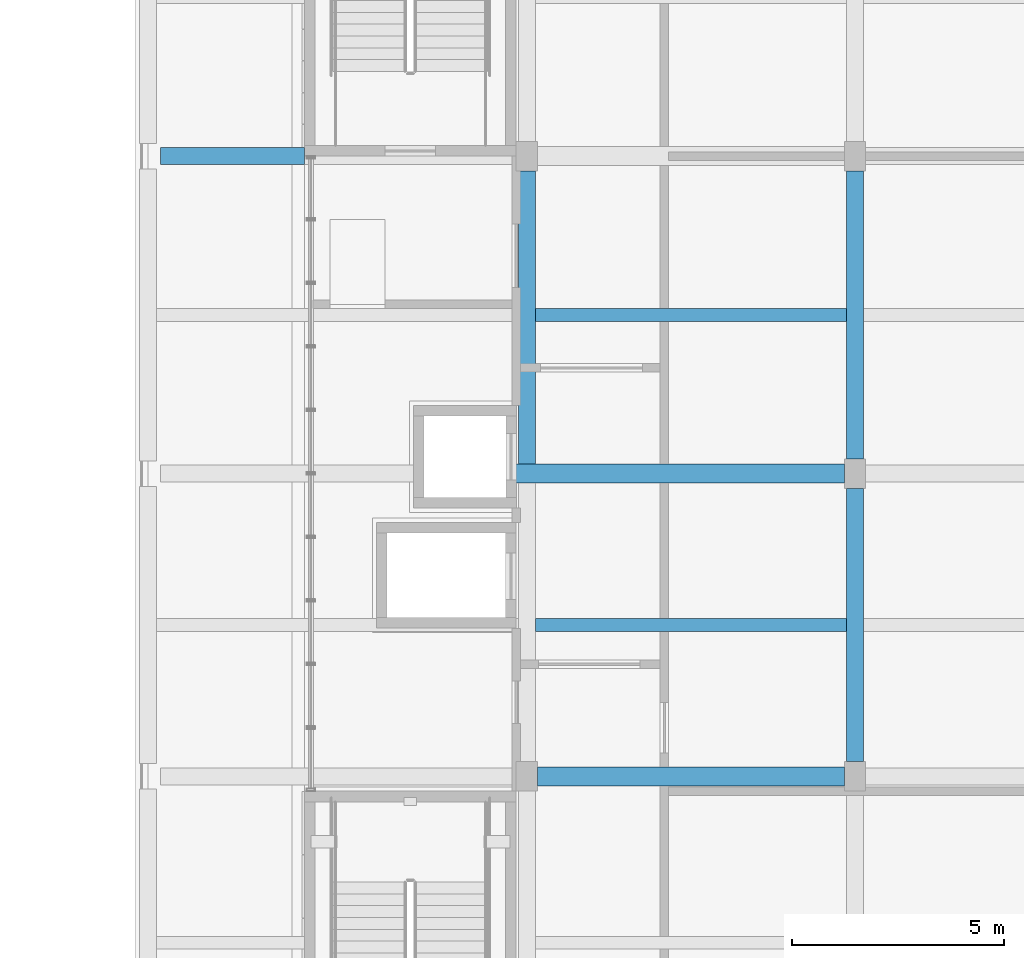
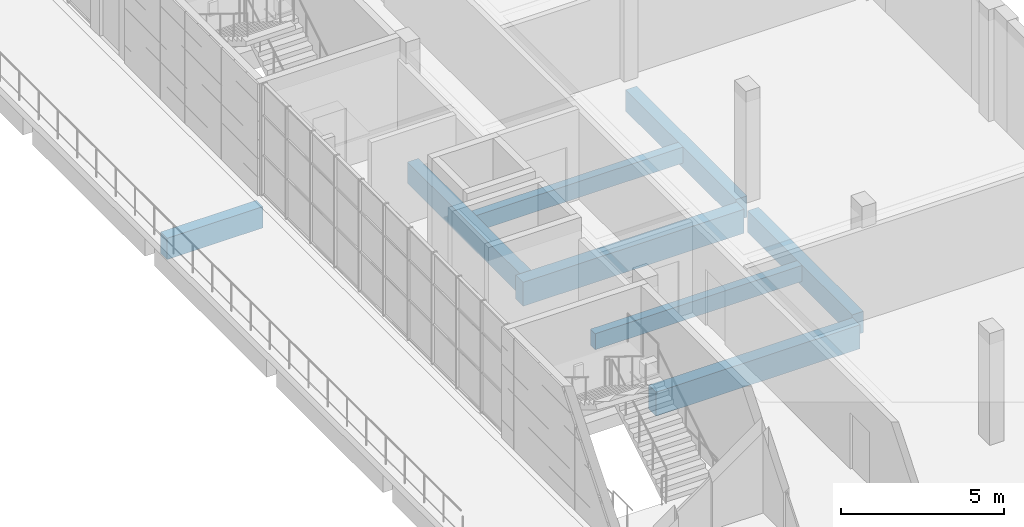
# One storey, part 10 of 36: 8 beams.
"""IFC4 building model written with IfcOpenShell, lengths in metres."""

from ifc_helpers import new_model, si_unit, direction, frame, origin, origin_2d, place, context, subcontext, project, spatial, rectangle, extrude, material, material_profile, profile_set, type_object, element, save


model = new_model("IFC4")

# Units and contexts
model_context = context("Model", 3, precision=1e-05, world=origin(), true_north=direction((0.0, 1.0)))
body_context = subcontext(model_context, "Body", "Model", "MODEL_VIEW")
ifc_project = project(units=[si_unit("LENGTHUNIT", "METRE"), si_unit("AREAUNIT", "SQUARE_METRE"), si_unit("VOLUMEUNIT", "CUBIC_METRE"), si_unit("PLANEANGLEUNIT", "RADIAN"), si_unit("MASSUNIT", "GRAM", prefix="KILO")], contexts=[model_context])

# Site, building, storey
site_placement = place(None, origin())
site = spatial("IfcSite", under=ifc_project, at=site_placement, CompositionType="ELEMENT")
building_placement = place(site_placement, origin())
building = spatial("IfcBuilding", under=site, at=building_placement, Name="Sun Court Science Centre", CompositionType="ELEMENT")
storey_placement = place(building_placement, frame((0.0, 0.0, 24.75)))
storey = spatial("IfcBuildingStorey", under=building, at=storey_placement, Name="L05", CompositionType="ELEMENT", Elevation=24.75)

# Beams
ifc_material_1 = material(Name="Concrete C25/30", Category="concrete")
ifc_material_profile_1 = material_profile(ifc_material_1, rectangle(XDim=0.39990234375, YDim=0.800048828125, at=origin_2d()), Name="RC 400x800")
ifc_profile_set_1 = profile_set([ifc_material_profile_1], Name="Concrete C25/30")
beam_type_1 = type_object("IfcBeamType", Name="RC girder 400x800", PredefinedType="BEAM", material=ifc_profile_set_1)
beam_1_placement = place(storey_placement, frame((78.60009765625, 58.5, -0.699951171875), z_axis=(1.0, 0.0, 0.0), x_axis=(0.0, 1.0, 0.0)))
element("IfcBeam", 1, at=beam_1_placement, inside=storey, type_object=beam_type_1, Name="Girder L05 row 5", PredefinedType="BEAM", context=body_context, shape_type="SweptSolid", body=[
    extrude(rectangle(XDim=0.39990234375, YDim=0.800048828125, at=origin_2d()), origin(), (0.0, 0.0, 1.0), 3.39990234375),
])
beam_2_placement = place(storey_placement, frame((87.25, 51.22509765625, -0.699951171875), z_axis=(0.0, 1.0, 0.0), x_axis=(-1.0, 0.0, 0.0)))
element("IfcBeam", 2, at=beam_2_placement, inside=storey, type_object=beam_type_1, Name="Girder L05 line 2", PredefinedType="BEAM", context=body_context, shape_type="SweptSolid", body=[
    extrude(rectangle(XDim=0.39990234375, YDim=0.800048828125, at=origin_2d()), origin(), (0.0, 0.0, 1.0), 6.9248046875),
])
beam_3_placement = place(storey_placement, frame((95.0, 44.199951171875, -0.699951171875), z_axis=(0.0, 1.0, 0.0), x_axis=(-1.0, 0.0, 0.0)))
element("IfcBeam", 3, at=beam_3_placement, inside=storey, type_object=beam_type_1, Name="Girder L05 line 3", PredefinedType="BEAM", context=body_context, shape_type="SweptSolid", body=[
    extrude(rectangle(XDim=0.39990234375, YDim=0.800048828125, at=origin_2d()), origin(), (0.0, 0.0, 1.0), 6.449951171875),
])
beam_4_placement = place(storey_placement, frame((95.0, 51.35009765625, -0.699951171875), z_axis=(0.0, 1.0, 0.0), x_axis=(-1.0, 0.0, 0.0)))
element("IfcBeam", 4, at=beam_4_placement, inside=storey, type_object=beam_type_1, Name="Girder L05 line 3", PredefinedType="BEAM", context=body_context, shape_type="SweptSolid", body=[
    extrude(rectangle(XDim=0.39990234375, YDim=0.800048828125, at=origin_2d()), origin(), (0.0, 0.0, 1.0), 6.7998046875),
])
ifc_material_2 = material(Name="Concrete C25/30", Category="concrete")
ifc_material_profile_2 = material_profile(ifc_material_2, rectangle(XDim=0.449951171875, YDim=0.89990234375, at=origin_2d()), Name="RC 450x900")
ifc_profile_set_2 = profile_set([ifc_material_profile_2], Name="Concrete C25/30")
beam_type_2 = type_object("IfcBeamType", Name="RC girder 450x900", PredefinedType="BEAM", material=ifc_profile_set_2)
beam_5_placement = place(storey_placement, frame((87.5, 43.85009765625, -0.75), z_axis=(1.0, 0.0, 0.0), x_axis=(0.0, 1.0, 0.0)))
element("IfcBeam", 5, at=beam_5_placement, inside=storey, type_object=beam_type_2, Name="Girder L05 row 3", PredefinedType="BEAM", context=body_context, shape_type="SweptSolid", body=[
    extrude(rectangle(XDim=0.449951171875, YDim=0.89990234375, at=origin_2d()), origin(), (0.0, 0.0, 1.0), 7.25),
])
beam_6_placement = place(storey_placement, frame((86.902587890625, 51.0, -0.75), z_axis=(1.0, 0.0, 0.0), x_axis=(0.0, 1.0, 0.0)))
element("IfcBeam", 6, at=beam_6_placement, inside=storey, type_object=beam_type_2, Name="Girder L05 row 4", PredefinedType="BEAM", context=body_context, shape_type="SweptSolid", body=[
    extrude(rectangle(XDim=0.449951171875, YDim=0.89990234375, at=origin_2d()), origin(), (0.0, 0.0, 1.0), 7.847412109375),
])
ifc_material_3 = material(Name="Concrete C25/30", Category="concrete")
ifc_material_profile_3 = material_profile(ifc_material_3, rectangle(XDim=0.300048828125, YDim=0.60009765625, at=origin_2d()), Name="RC 300x600")
ifc_profile_set_3 = profile_set([ifc_material_profile_3], Name="Concrete C25/30")
beam_type_3 = type_object("IfcBeamType", Name="RC joist 300x600", PredefinedType="JOIST", material=ifc_profile_set_3)
for number, where, z_axis, x_axis, name in (
    (7, (87.449951171875, 47.425048828125, -0.60009765625), (1.0, 0.0, 0.0), (0.0, 1.0, 0.0), "Joist L05"),
    (8, (87.449951171875, 54.75, -0.60009765625), (1.0, 0.0, 0.0), (0.0, 1.0, 0.0), "Joist L05"),
):
    element("IfcBeam", number, at=place(storey_placement, frame(where, z_axis=z_axis, x_axis=x_axis)), inside=storey, type_object=beam_type_3, Name=name, PredefinedType="JOIST", context=body_context, shape_type="SweptSolid", body=[
        extrude(rectangle(XDim=0.300048828125, YDim=0.60009765625, at=origin_2d()), origin(), (0.0, 0.0, 1.0), 7.35009765625),
    ])

save(model, "model.ifc")
